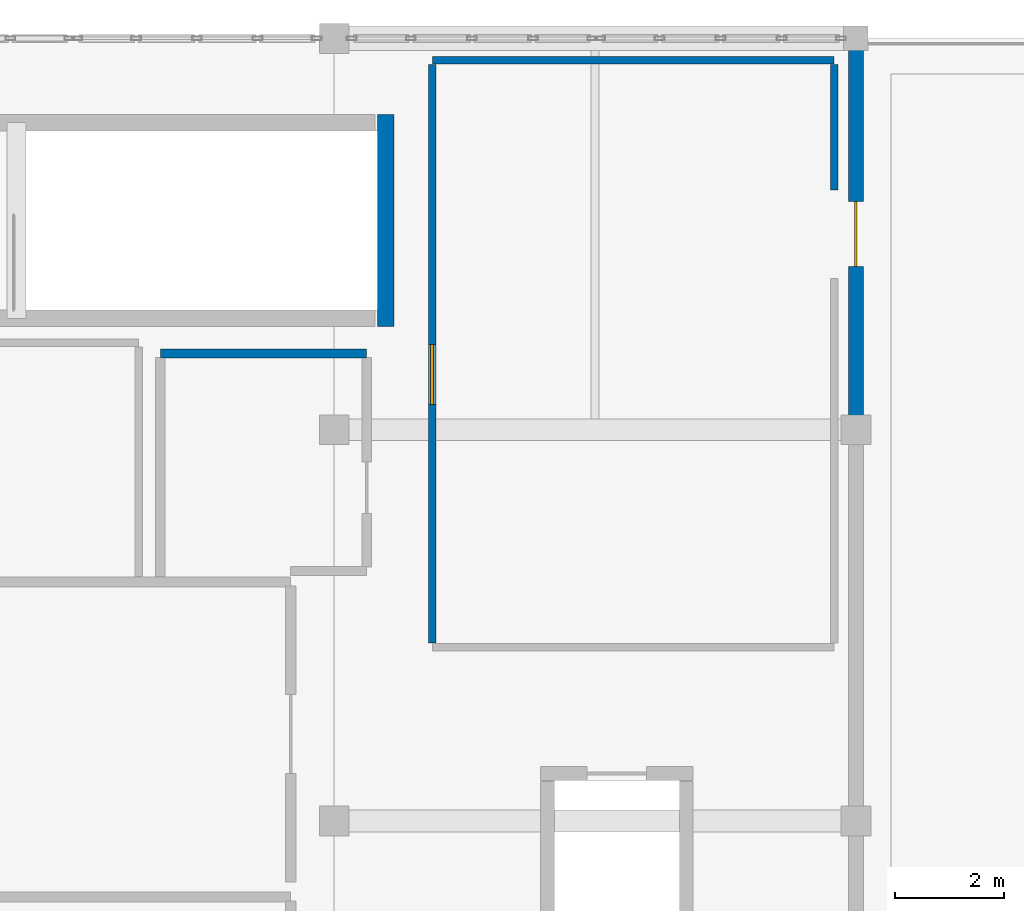
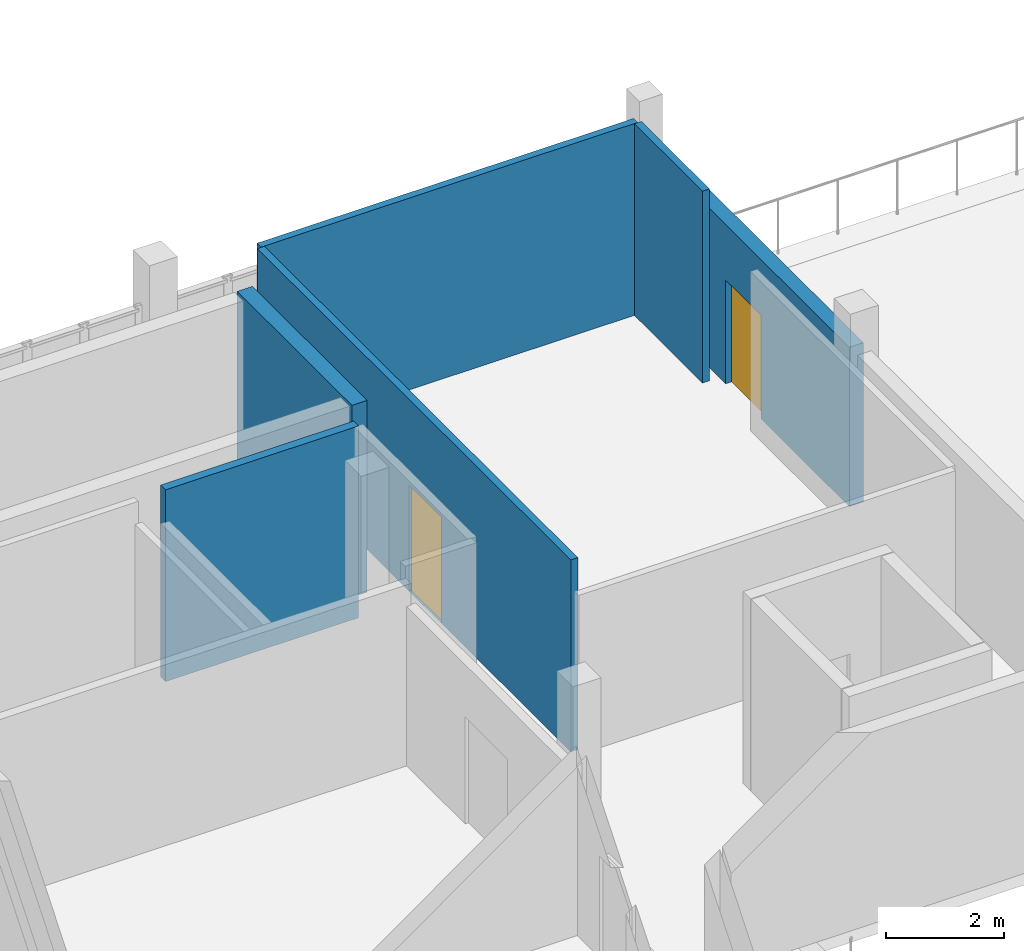
# One storey, part 10 of 11: 6 walls, 2 doors, 2 openings.
"""IFC4 building model written with IfcOpenShell, lengths in metres."""

from ifc_helpers import new_model, si_unit, direction, frame, frame_2d, origin, place, context, subcontext, project, spatial, rectangle, extrude, material, layer, layer_set, type_object, element, fill, save


model = new_model("IFC4")

# Units and contexts
model_context = context("Model", 3, precision=1e-05, world=origin(), true_north=direction((0.0, 1.0)))
body_context = subcontext(model_context, "Body", "Model", "MODEL_VIEW")
ifc_project = project(units=[si_unit("LENGTHUNIT", "METRE"), si_unit("AREAUNIT", "SQUARE_METRE"), si_unit("VOLUMEUNIT", "CUBIC_METRE"), si_unit("PLANEANGLEUNIT", "RADIAN"), si_unit("MASSUNIT", "GRAM", prefix="KILO")], contexts=[model_context])

# Site, building, storey
site_placement = place(None, origin())
site = spatial("IfcSite", under=ifc_project, at=site_placement, CompositionType="ELEMENT")
building_placement = place(site_placement, origin())
building = spatial("IfcBuilding", under=site, at=building_placement, Name="Kisaragi Civic Commons", CompositionType="ELEMENT")
storey_placement = place(building_placement, frame((0.0, 0.0, 17.39990234375)))
storey = spatial("IfcBuildingStorey", under=building, at=storey_placement, Name="L04", CompositionType="ELEMENT", Elevation=17.39990234375)

# Wall, opening, door
ifc_material_1 = material(Name="Insulated Tokoname terracotta cavity wall", Category="masonry")
ifc_layer_1 = layer(ifc_material_1, 0.278076171875, Name="Insulated Tokoname terracotta cavity wall", Category="masonry")
ifc_layer_set_1 = layer_set([ifc_layer_1], Name="Insulated Tokoname terracotta cavity wall")
wall_type_1 = type_object("IfcWallType", Name="EW-07", PredefinedType="STANDARD", material=ifc_layer_set_1)
wall_1_placement = place(storey_placement, frame((133.199951171875, 118.800048828125, 0.0), z_axis=(0.0, 0.0, 1.0), x_axis=(0.0, -1.0, 0.0)))
wall_1 = element("IfcWall", 1, at=wall_1_placement, inside=storey, type_object=wall_type_1, Name="V4 L04 exterior terracotta wall EW-07 385", PredefinedType="STANDARD", context=body_context, shape_type="SweptSolid", body=[
    extrude(rectangle(XDim=7.199951171875, YDim=0.278076171875, at=frame_2d((3.60009765625, 0.0))), origin(), (0.0, 0.0, 1.0), 3.30517578125),
])
opening_1_placement = place(wall_1_placement, frame((3.0, 0.0, 0.0)))
opening_1 = element("IfcOpeningElement", 2, at=opening_1_placement, cuts=wall_1, Name="Opening TD-01", PredefinedType="OPENING", context=body_context, shape_type="SweptSolid", body=[
    extrude(rectangle(XDim=1.199951171875, YDim=2.14990234375, at=frame_2d((0.60009765625, 1.074951171875))), frame((0.0, 0.14892578125, 0.0), z_axis=(0.0, -1.0, 0.0), x_axis=(1.0, 0.0, 0.0)), (0.0, 0.0, 1.0), 0.298095703125),
])
ifc_material_2 = material(Name="Thermally broken anodized aluminium glazed exit door", Category="aluminium")
door_type_1 = type_object("IfcDoorType", Name="TD-01", OperationType="NOTDEFINED", PredefinedType="DOOR", material=ifc_material_2)
door_1_placement = place(opening_1_placement, origin())
door_1 = element("IfcDoor", 3, at=door_1_placement, inside=storey, type_object=door_type_1, Name="V4 L04 terrace access door 08", OperationType="SINGLE_SWING_LEFT", OverallHeight=2.14990234375, OverallWidth=1.199951171875, PredefinedType="DOOR", context=body_context, shape_type="SweptSolid", body=[
    extrude(rectangle(XDim=1.199951171875, YDim=2.14990234375, at=frame_2d((0.60009765625, 1.074951171875))), frame((0.0, 0.02490234375, 0.0), z_axis=(0.0, -1.0, 0.0), x_axis=(1.0, 0.0, 0.0)), (0.0, 0.0, 1.0), 0.050048828125),
])
fill(opening_1, door_1)

# Wall
ifc_material_3 = material(Name="Acoustic gypsum board on light-gauge steel studs", Category="steel")
ifc_layer_2 = layer(ifc_material_3, 0.137939453125, Name="Acoustic gypsum board on light-gauge steel studs", Category="steel")
ifc_layer_set_2 = layer_set([ifc_layer_2], Name="Acoustic gypsum board on light-gauge steel studs")
wall_type_2 = type_object("IfcWallType", Name="IW-02", PredefinedType="STANDARD", material=ifc_layer_set_2)
wall_2_placement = place(storey_placement, frame((132.800048828125, 118.324951171875, 0.0), z_axis=(0.0, 0.0, 1.0), x_axis=(0.0, -1.0, 0.0)))
element("IfcWall", 4, at=wall_2_placement, inside=storey, type_object=wall_type_2, Name="L04 W4-06 partition IW-02 363", PredefinedType="STANDARD", context=body_context, shape_type="SweptSolid", body=[
    extrude(rectangle(XDim=2.31005859375, YDim=0.137939453125, at=frame_2d((1.155029296875, 0.0))), origin(), (0.0, 0.0, 1.0), 3.97998046875),
])

# Wall, opening, door
wall_3_placement = place(storey_placement, frame((125.39990234375, 107.675048828125, 0.0), z_axis=(0.0, 0.0, 1.0), x_axis=(0.0, 1.0, 0.0)))
wall_3 = element("IfcWall", 5, at=wall_3_placement, inside=storey, type_object=wall_type_2, Name="L04 W4-06 partition IW-02 366", PredefinedType="STANDARD", context=body_context, shape_type="SweptSolid", body=[
    extrude(rectangle(XDim=10.64990234375, YDim=0.137939453125, at=frame_2d((5.324951171875, 0.0))), origin(), (0.0, 0.0, 1.0), 3.97998046875),
])
opening_2_placement = place(wall_3_placement, frame((4.39306640625, 0.0, 0.0)))
opening_2 = element("IfcOpeningElement", 6, at=opening_2_placement, cuts=wall_3, Name="Opening ID-08", PredefinedType="OPENING", context=body_context, shape_type="SweptSolid", body=[
    extrude(rectangle(XDim=1.10009765625, YDim=2.199951171875, at=frame_2d((0.550048828125, 1.10009765625))), frame((0.0, 0.078857421875, 0.0), z_axis=(0.0, -1.0, 0.0), x_axis=(1.0, 0.0, 0.0)), (0.0, 0.0, 1.0), 0.157958984375),
])
ifc_material_4 = material(Name="Solid-core Japanese ash acoustic flush timber leaf in steel frame", Category="steel")
door_type_2 = type_object("IfcDoorType", Name="ID-08", OperationType="NOTDEFINED", PredefinedType="DOOR", material=ifc_material_4)
door_2_placement = place(opening_2_placement, origin())
door_2 = element("IfcDoor", 7, at=door_2_placement, inside=storey, type_object=door_type_2, Name="Civic Administration Office door ID-08", OperationType="SINGLE_SWING_LEFT", OverallHeight=2.199951171875, OverallWidth=1.10009765625, PredefinedType="DOOR", context=body_context, shape_type="SweptSolid", body=[
    extrude(rectangle(XDim=1.10009765625, YDim=2.199951171875, at=frame_2d((0.550048828125, 1.10009765625))), frame((0.0, 0.02490234375, 0.0), z_axis=(0.0, -1.0, 0.0), x_axis=(1.0, 0.0, 0.0)), (0.0, 0.0, 1.0), 0.050048828125),
])
fill(opening_2, door_2)

# Walls
wall_4_placement = place(storey_placement, frame((125.405029296875, 118.39990234375, 0.0), z_axis=(0.0, 0.0, 1.0), x_axis=(1.0, 0.0, 0.0)))
element("IfcWall", 8, at=wall_4_placement, inside=storey, type_object=wall_type_2, Name="L04 W4-06 partition IW-02 367", PredefinedType="STANDARD", context=body_context, shape_type="SweptSolid", body=[
    extrude(rectangle(XDim=7.389892578125, YDim=0.137939453125, at=frame_2d((3.69482421875, 0.0))), origin(), (0.0, 0.0, 1.0), 3.97998046875),
])
ifc_material_5 = material(Name="Cementitious tile-backer board on galvanized steel studs", Category="steel")
ifc_layer_3 = layer(ifc_material_5, 0.16796875, Name="Cementitious tile-backer board on galvanized steel studs", Category="steel")
ifc_layer_set_3 = layer_set([ifc_layer_3], Name="Cementitious tile-backer board on galvanized steel studs")
wall_type_3 = type_object("IfcWallType", Name="IW-03", PredefinedType="STANDARD", material=ifc_layer_set_3)
wall_5_placement = place(storey_placement, frame((120.405029296875, 113.0, 0.0), z_axis=(0.0, 0.0, 1.0), x_axis=(1.0, 0.0, 0.0)))
element("IfcWall", 9, at=wall_5_placement, inside=storey, type_object=wall_type_3, Name="L04 W4-10 partition IW-03 374", PredefinedType="STANDARD", context=body_context, shape_type="SweptSolid", body=[
    extrude(rectangle(XDim=3.7900390625, YDim=0.16796875, at=frame_2d((1.89501953125, 0.0))), origin(), (0.0, 0.0, 1.0), 3.97998046875),
])
ifc_material_6 = material(Name="Concrete Fc36", Category="concrete")
ifc_layer_4 = layer(ifc_material_6, 0.300048828125, Name="Concrete Fc36", Category="concrete")
ifc_layer_set_4 = layer_set([ifc_layer_4], Name="Concrete Fc36")
wall_type_4 = type_object("IfcWallType", Name="SW-01", PredefinedType="SHEAR", material=ifc_layer_set_4)
wall_6_placement = place(storey_placement, frame((124.550048828125, 113.5, 0.0), z_axis=(0.0, 0.0, 1.0), x_axis=(0.0, 1.0, 0.0)))
element("IfcWall", 10, at=wall_6_placement, inside=storey, type_object=wall_type_4, Name="ST-L2 L04 far RC shear wall", PredefinedType="SHEAR", context=body_context, shape_type="SweptSolid", body=[
    extrude(rectangle(XDim=3.89990234375, YDim=0.300048828125, at=frame_2d((1.949951171875, 0.0))), origin(), (0.0, 0.0, 1.0), 3.97998046875),
])

save(model, "model.ifc")
